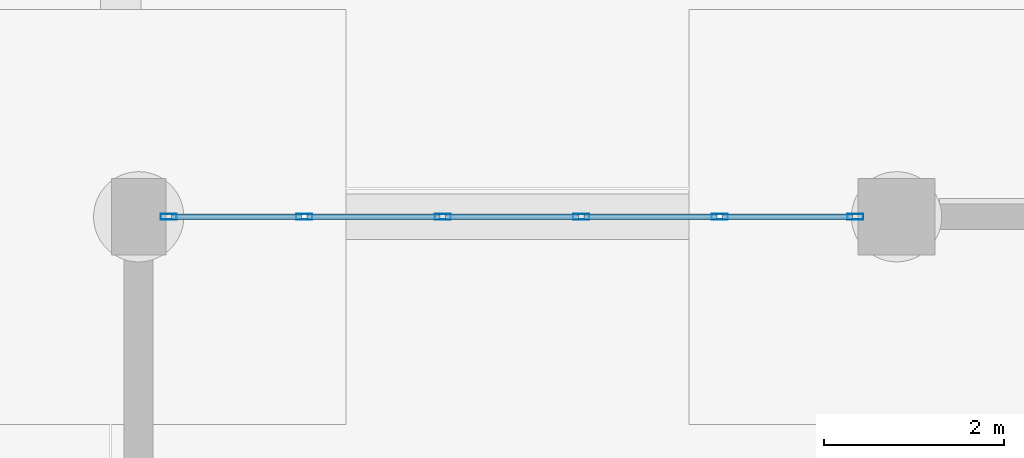
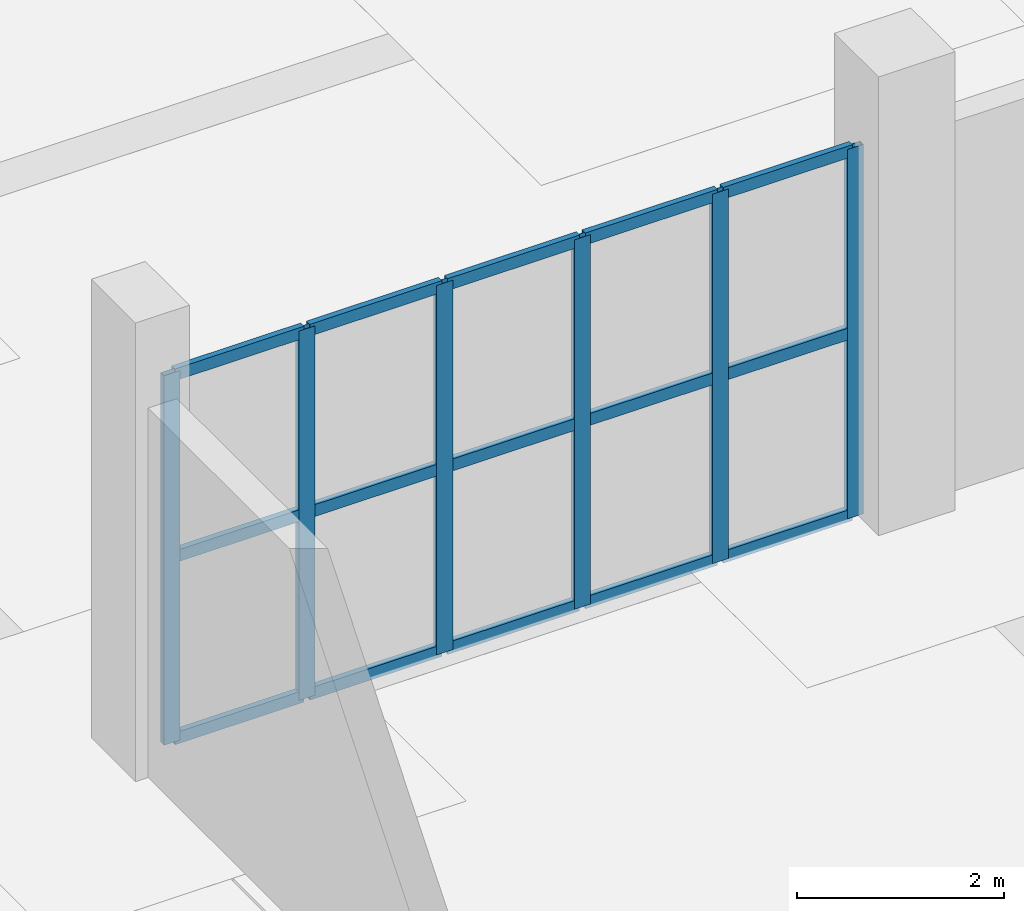
# One storey, part 42 of 98: 21 members, 1 element without a shape of its own.
"""IFC4 building model written with IfcOpenShell, lengths in metres."""

from ifc_helpers import new_model, si_unit, direction, frame, origin, origin_2d, place, context, subcontext, project, spatial, hollow_rectangle, extrude, material, layer, layer_set, material_profile, profile_set, type_object, element, aggregate, save


model = new_model("IFC4")

# Units and contexts
model_context = context("Model", 3, precision=1e-05, world=origin(), true_north=direction((0.0, 1.0)))
body_context = subcontext(model_context, "Body", "Model", "MODEL_VIEW")
ifc_project = project(units=[si_unit("LENGTHUNIT", "METRE"), si_unit("AREAUNIT", "SQUARE_METRE"), si_unit("VOLUMEUNIT", "CUBIC_METRE"), si_unit("PLANEANGLEUNIT", "RADIAN"), si_unit("MASSUNIT", "GRAM", prefix="KILO")], contexts=[model_context])

# Site, building, storey
site_placement = place(None, origin())
site = spatial("IfcSite", under=ifc_project, at=site_placement, CompositionType="ELEMENT")
building_placement = place(site_placement, origin())
building = spatial("IfcBuilding", under=site, at=building_placement, Name="Xazarin Passage Department Store", CompositionType="ELEMENT")
storey_placement = place(building_placement, origin())
storey = spatial("IfcBuildingStorey", under=building, at=storey_placement, Name="L00", CompositionType="ELEMENT", Elevation=0.0)

# Curtain wall, members
ifc_material = material(Name="Bronze anodised aluminium", Category="aluminium")
ifc_layer = layer(ifc_material, 0.169921875)
ifc_layer_set = layer_set([ifc_layer], Name="Bronze anodised aluminium")
curtain_wall_type = type_object("IfcCurtainWallType", Name="ARC-CW-ARC2", PredefinedType="NOTDEFINED", material=ifc_layer_set)
curtain_wall_placement = place(storey_placement, origin())
curtain_wall = element("IfcCurtainWall", 1, at=curtain_wall_placement, inside=storey, type_object=curtain_wall_type, Name="L00 V2N Curtain Wall 108", PredefinedType="NOTDEFINED")
ifc_material_profile_1 = material_profile(ifc_material, hollow_rectangle(XDim=0.06494140625, YDim=0.179931640625, WallThickness=0.00390625, at=origin_2d()), Name="ALU 65x180")
ifc_profile_set_1 = profile_set([ifc_material_profile_1], Name="Bronze anodised aluminium")
member_type_1 = type_object("IfcMemberType", Name="ARC-CWM-65x180", PredefinedType="MULLION", material=ifc_profile_set_1)
member_1_placement = place(storey_placement, frame((68.33251953125, 93.199951171875, 0.0), z_axis=(0.0, 0.0, 1.0), x_axis=(0.0, 1.0, 0.0)))
member_1 = element("IfcMember", 2, at=member_1_placement, type_object=member_type_1, Name="CW4 mullion 1", PredefinedType="MULLION", context=body_context, shape_type="SweptSolid", body=[
    extrude(hollow_rectangle(XDim=0.06494140625, YDim=0.179931640625, WallThickness=0.00390625, at=origin_2d()), origin(), (0.0, 0.0, 1.0), 4.35009765625),
])
member_2_placement = place(storey_placement, frame((69.8349609375, 93.199951171875, 0.0), z_axis=(0.0, 0.0, 1.0), x_axis=(0.0, 1.0, 0.0)))
member_2 = element("IfcMember", 3, at=member_2_placement, type_object=member_type_1, Name="CW4 mullion 2", PredefinedType="MULLION", context=body_context, shape_type="SweptSolid", body=[
    extrude(hollow_rectangle(XDim=0.06494140625, YDim=0.179931640625, WallThickness=0.00390625, at=origin_2d()), origin(), (0.0, 0.0, 1.0), 4.35009765625),
])
member_3_placement = place(storey_placement, frame((71.3701171875, 93.199951171875, 0.0), z_axis=(0.0, 0.0, 1.0), x_axis=(0.0, 1.0, 0.0)))
member_3 = element("IfcMember", 4, at=member_3_placement, type_object=member_type_1, Name="CW4 mullion 3", PredefinedType="MULLION", context=body_context, shape_type="SweptSolid", body=[
    extrude(hollow_rectangle(XDim=0.06494140625, YDim=0.179931640625, WallThickness=0.00390625, at=origin_2d()), origin(), (0.0, 0.0, 1.0), 4.35009765625),
])
member_4_placement = place(storey_placement, frame((72.905029296875, 93.199951171875, 0.0), z_axis=(0.0, 0.0, 1.0), x_axis=(0.0, 1.0, 0.0)))
member_4 = element("IfcMember", 5, at=member_4_placement, type_object=member_type_1, Name="CW4 mullion 4", PredefinedType="MULLION", context=body_context, shape_type="SweptSolid", body=[
    extrude(hollow_rectangle(XDim=0.06494140625, YDim=0.179931640625, WallThickness=0.00390625, at=origin_2d()), origin(), (0.0, 0.0, 1.0), 4.35009765625),
])
member_5_placement = place(storey_placement, frame((74.43994140625, 93.199951171875, 0.0), z_axis=(0.0, 0.0, 1.0), x_axis=(0.0, 1.0, 0.0)))
member_5 = element("IfcMember", 6, at=member_5_placement, type_object=member_type_1, Name="CW4 mullion 5", PredefinedType="MULLION", context=body_context, shape_type="SweptSolid", body=[
    extrude(hollow_rectangle(XDim=0.06494140625, YDim=0.179931640625, WallThickness=0.00390625, at=origin_2d()), origin(), (0.0, 0.0, 1.0), 4.35009765625),
])
member_6_placement = place(storey_placement, frame((75.9423828125, 93.199951171875, 0.0), z_axis=(0.0, 0.0, 1.0), x_axis=(0.0, 1.0, 0.0)))
member_6 = element("IfcMember", 7, at=member_6_placement, type_object=member_type_1, Name="CW4 mullion 6", PredefinedType="MULLION", context=body_context, shape_type="SweptSolid", body=[
    extrude(hollow_rectangle(XDim=0.06494140625, YDim=0.179931640625, WallThickness=0.00390625, at=origin_2d()), origin(), (0.0, 0.0, 1.0), 4.35009765625),
])
ifc_material_profile_2 = material_profile(ifc_material, hollow_rectangle(XDim=0.06494140625, YDim=0.139892578125, WallThickness=0.00390625, at=origin_2d()), Name="ALU 65x140")
ifc_profile_set_2 = profile_set([ifc_material_profile_2], Name="Bronze anodised aluminium")
member_type_2 = type_object("IfcMemberType", Name="ARC-CWT-65x140", PredefinedType="USERDEFINED", material=ifc_profile_set_2)
member_7_placement = place(storey_placement, frame((68.364990234375, 93.199951171875, 0.032470703125), z_axis=(1.0, 0.0, 0.0), x_axis=(0.0, 1.0, 0.0)))
member_7 = element("IfcMember", 8, at=member_7_placement, type_object=member_type_2, Name="CW4 transom 1.1", ObjectType="TRANSOM", PredefinedType="USERDEFINED", context=body_context, shape_type="SweptSolid", body=[
    extrude(hollow_rectangle(XDim=0.06494140625, YDim=0.139892578125, WallThickness=0.00390625, at=origin_2d()), origin(), (0.0, 0.0, 1.0), 1.4375),
])
member_8_placement = place(storey_placement, frame((68.364990234375, 93.199951171875, 2.175048828125), z_axis=(1.0, 0.0, 0.0), x_axis=(0.0, 1.0, 0.0)))
member_8 = element("IfcMember", 9, at=member_8_placement, type_object=member_type_2, Name="CW4 transom 1.2", ObjectType="TRANSOM", PredefinedType="USERDEFINED", context=body_context, shape_type="SweptSolid", body=[
    extrude(hollow_rectangle(XDim=0.06494140625, YDim=0.139892578125, WallThickness=0.00390625, at=origin_2d()), origin(), (0.0, 0.0, 1.0), 1.4375),
])
member_9_placement = place(storey_placement, frame((68.364990234375, 93.199951171875, 4.3173828125), z_axis=(1.0, 0.0, 0.0), x_axis=(0.0, 1.0, 0.0)))
member_9 = element("IfcMember", 10, at=member_9_placement, type_object=member_type_2, Name="CW4 transom 1.3", ObjectType="TRANSOM", PredefinedType="USERDEFINED", context=body_context, shape_type="SweptSolid", body=[
    extrude(hollow_rectangle(XDim=0.06494140625, YDim=0.139892578125, WallThickness=0.00390625, at=origin_2d()), origin(), (0.0, 0.0, 1.0), 1.4375),
])
member_10_placement = place(storey_placement, frame((69.867431640625, 93.199951171875, 0.032470703125), z_axis=(1.0, 0.0, 0.0), x_axis=(0.0, 1.0, 0.0)))
member_10 = element("IfcMember", 11, at=member_10_placement, type_object=member_type_2, Name="CW4 transom 2.1", ObjectType="TRANSOM", PredefinedType="USERDEFINED", context=body_context, shape_type="SweptSolid", body=[
    extrude(hollow_rectangle(XDim=0.06494140625, YDim=0.139892578125, WallThickness=0.00390625, at=origin_2d()), origin(), (0.0, 0.0, 1.0), 1.469970703125),
])
member_11_placement = place(storey_placement, frame((69.867431640625, 93.199951171875, 2.175048828125), z_axis=(1.0, 0.0, 0.0), x_axis=(0.0, 1.0, 0.0)))
member_11 = element("IfcMember", 12, at=member_11_placement, type_object=member_type_2, Name="CW4 transom 2.2", ObjectType="TRANSOM", PredefinedType="USERDEFINED", context=body_context, shape_type="SweptSolid", body=[
    extrude(hollow_rectangle(XDim=0.06494140625, YDim=0.139892578125, WallThickness=0.00390625, at=origin_2d()), origin(), (0.0, 0.0, 1.0), 1.469970703125),
])
member_12_placement = place(storey_placement, frame((69.867431640625, 93.199951171875, 4.3173828125), z_axis=(1.0, 0.0, 0.0), x_axis=(0.0, 1.0, 0.0)))
member_12 = element("IfcMember", 13, at=member_12_placement, type_object=member_type_2, Name="CW4 transom 2.3", ObjectType="TRANSOM", PredefinedType="USERDEFINED", context=body_context, shape_type="SweptSolid", body=[
    extrude(hollow_rectangle(XDim=0.06494140625, YDim=0.139892578125, WallThickness=0.00390625, at=origin_2d()), origin(), (0.0, 0.0, 1.0), 1.469970703125),
])
member_13_placement = place(storey_placement, frame((71.402587890625, 93.199951171875, 0.032470703125), z_axis=(1.0, 0.0, 0.0), x_axis=(0.0, 1.0, 0.0)))
member_13 = element("IfcMember", 14, at=member_13_placement, type_object=member_type_2, Name="CW4 transom 3.1", ObjectType="TRANSOM", PredefinedType="USERDEFINED", context=body_context, shape_type="SweptSolid", body=[
    extrude(hollow_rectangle(XDim=0.06494140625, YDim=0.139892578125, WallThickness=0.00390625, at=origin_2d()), origin(), (0.0, 0.0, 1.0), 1.469970703125),
])
member_14_placement = place(storey_placement, frame((71.402587890625, 93.199951171875, 2.175048828125), z_axis=(1.0, 0.0, 0.0), x_axis=(0.0, 1.0, 0.0)))
member_14 = element("IfcMember", 15, at=member_14_placement, type_object=member_type_2, Name="CW4 transom 3.2", ObjectType="TRANSOM", PredefinedType="USERDEFINED", context=body_context, shape_type="SweptSolid", body=[
    extrude(hollow_rectangle(XDim=0.06494140625, YDim=0.139892578125, WallThickness=0.00390625, at=origin_2d()), origin(), (0.0, 0.0, 1.0), 1.469970703125),
])
member_15_placement = place(storey_placement, frame((71.402587890625, 93.199951171875, 4.3173828125), z_axis=(1.0, 0.0, 0.0), x_axis=(0.0, 1.0, 0.0)))
member_15 = element("IfcMember", 16, at=member_15_placement, type_object=member_type_2, Name="CW4 transom 3.3", ObjectType="TRANSOM", PredefinedType="USERDEFINED", context=body_context, shape_type="SweptSolid", body=[
    extrude(hollow_rectangle(XDim=0.06494140625, YDim=0.139892578125, WallThickness=0.00390625, at=origin_2d()), origin(), (0.0, 0.0, 1.0), 1.469970703125),
])
member_16_placement = place(storey_placement, frame((72.9375, 93.199951171875, 0.032470703125), z_axis=(1.0, 0.0, 0.0), x_axis=(0.0, 1.0, 0.0)))
member_16 = element("IfcMember", 17, at=member_16_placement, type_object=member_type_2, Name="CW4 transom 4.1", ObjectType="TRANSOM", PredefinedType="USERDEFINED", context=body_context, shape_type="SweptSolid", body=[
    extrude(hollow_rectangle(XDim=0.06494140625, YDim=0.139892578125, WallThickness=0.00390625, at=origin_2d()), origin(), (0.0, 0.0, 1.0), 1.469970703125),
])
member_17_placement = place(storey_placement, frame((72.9375, 93.199951171875, 2.175048828125), z_axis=(1.0, 0.0, 0.0), x_axis=(0.0, 1.0, 0.0)))
member_17 = element("IfcMember", 18, at=member_17_placement, type_object=member_type_2, Name="CW4 transom 4.2", ObjectType="TRANSOM", PredefinedType="USERDEFINED", context=body_context, shape_type="SweptSolid", body=[
    extrude(hollow_rectangle(XDim=0.06494140625, YDim=0.139892578125, WallThickness=0.00390625, at=origin_2d()), origin(), (0.0, 0.0, 1.0), 1.469970703125),
])
member_18_placement = place(storey_placement, frame((72.9375, 93.199951171875, 4.3173828125), z_axis=(1.0, 0.0, 0.0), x_axis=(0.0, 1.0, 0.0)))
member_18 = element("IfcMember", 19, at=member_18_placement, type_object=member_type_2, Name="CW4 transom 4.3", ObjectType="TRANSOM", PredefinedType="USERDEFINED", context=body_context, shape_type="SweptSolid", body=[
    extrude(hollow_rectangle(XDim=0.06494140625, YDim=0.139892578125, WallThickness=0.00390625, at=origin_2d()), origin(), (0.0, 0.0, 1.0), 1.469970703125),
])
member_19_placement = place(storey_placement, frame((74.472412109375, 93.199951171875, 0.032470703125), z_axis=(1.0, 0.0, 0.0), x_axis=(0.0, 1.0, 0.0)))
member_19 = element("IfcMember", 20, at=member_19_placement, type_object=member_type_2, Name="CW4 transom 5.1", ObjectType="TRANSOM", PredefinedType="USERDEFINED", context=body_context, shape_type="SweptSolid", body=[
    extrude(hollow_rectangle(XDim=0.06494140625, YDim=0.139892578125, WallThickness=0.00390625, at=origin_2d()), origin(), (0.0, 0.0, 1.0), 1.4375),
])
member_20_placement = place(storey_placement, frame((74.472412109375, 93.199951171875, 2.175048828125), z_axis=(1.0, 0.0, 0.0), x_axis=(0.0, 1.0, 0.0)))
member_20 = element("IfcMember", 21, at=member_20_placement, type_object=member_type_2, Name="CW4 transom 5.2", ObjectType="TRANSOM", PredefinedType="USERDEFINED", context=body_context, shape_type="SweptSolid", body=[
    extrude(hollow_rectangle(XDim=0.06494140625, YDim=0.139892578125, WallThickness=0.00390625, at=origin_2d()), origin(), (0.0, 0.0, 1.0), 1.4375),
])
member_21_placement = place(storey_placement, frame((74.472412109375, 93.199951171875, 4.3173828125), z_axis=(1.0, 0.0, 0.0), x_axis=(0.0, 1.0, 0.0)))
member_21 = element("IfcMember", 22, at=member_21_placement, type_object=member_type_2, Name="CW4 transom 5.3", ObjectType="TRANSOM", PredefinedType="USERDEFINED", context=body_context, shape_type="SweptSolid", body=[
    extrude(hollow_rectangle(XDim=0.06494140625, YDim=0.139892578125, WallThickness=0.00390625, at=origin_2d()), origin(), (0.0, 0.0, 1.0), 1.4375),
])
aggregate(curtain_wall, [member_1, member_2, member_3, member_4, member_5, member_6, member_7, member_8, member_9, member_10, member_11, member_12, member_13, member_14, member_15, member_16, member_17, member_18, member_19, member_20, member_21])

save(model, "model.ifc")
